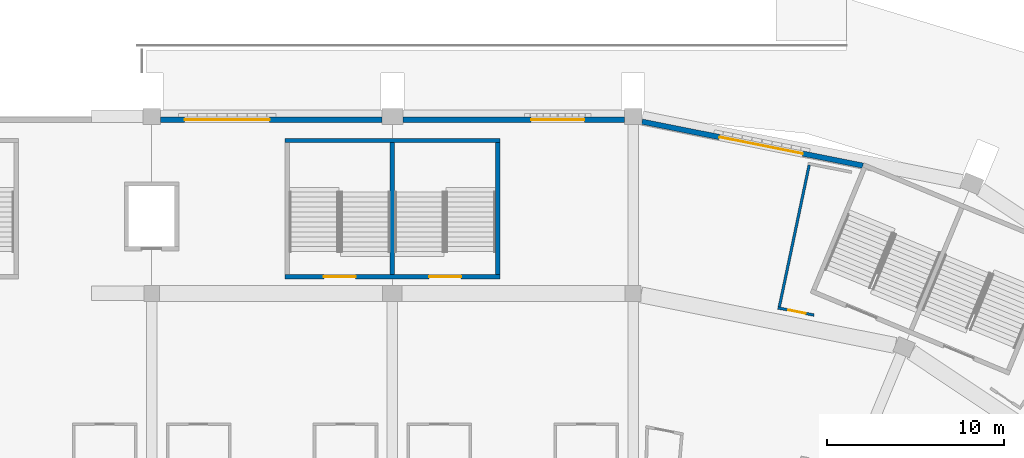
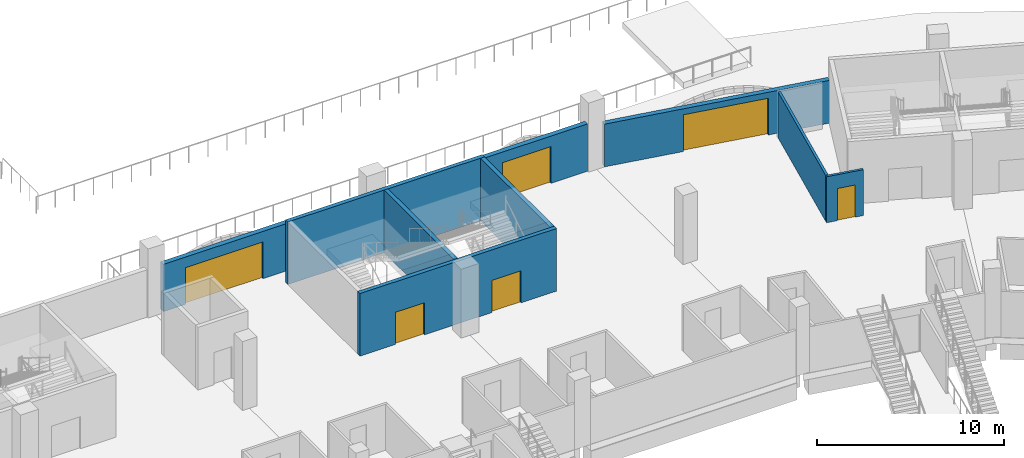
# One storey, part 40 of 175: 9 walls, 6 doors, 6 openings.
"""IFC4 building model written with IfcOpenShell, lengths in metres."""

from ifc_helpers import new_model, si_unit, direction, frame, frame_2d, origin, place, context, subcontext, project, spatial, rectangle, extrude, material, layer, layer_set, type_object, element, fill, save


model = new_model("IFC4")

# Units and contexts
model_context = context("Model", 3, precision=1e-05, world=origin(), true_north=direction((0.0, 1.0)))
body_context = subcontext(model_context, "Body", "Model", "MODEL_VIEW")
ifc_project = project(units=[si_unit("LENGTHUNIT", "METRE"), si_unit("AREAUNIT", "SQUARE_METRE"), si_unit("VOLUMEUNIT", "CUBIC_METRE"), si_unit("PLANEANGLEUNIT", "RADIAN"), si_unit("MASSUNIT", "GRAM", prefix="KILO")], contexts=[model_context])

# Site, building, storey
site_placement = place(None, origin())
site = spatial("IfcSite", under=ifc_project, at=site_placement, CompositionType="ELEMENT")
building_placement = place(site_placement, origin())
building = spatial("IfcBuilding", under=site, at=building_placement, Name="Ogive Plaza Stadium", CompositionType="ELEMENT")
storey_placement = place(building_placement, origin())
storey = spatial("IfcBuildingStorey", under=building, at=storey_placement, Name="L00", CompositionType="ELEMENT", Elevation=0.0)

# Wall, opening, door
ifc_material_1 = material(Name="Masonry blockwork", Category="masonry")
ifc_layer_1 = layer(ifc_material_1, 0.14990234375)
ifc_layer_set_1 = layer_set([ifc_layer_1], Name="Blockwork wall 150")
wall_type_1 = type_object("IfcWallType", Name="Blockwork wall 150", PredefinedType="SOLIDWALL", material=ifc_layer_set_1)
wall_1_placement = place(storey_placement, frame((44.21728515625, 91.267578125, 0.0), z_axis=(0.0, 0.0, 1.0), x_axis=(-0.980769797582, 0.195168143279, 0.0)))
wall_1 = element("IfcWall", 1, at=wall_1_placement, inside=storey, type_object=wall_type_1, Name="Wall L00 B37", PredefinedType="SOLIDWALL", context=body_context, shape_type="SweptSolid", body=[
    extrude(rectangle(XDim=2.080322265625, YDim=0.14990234375, at=frame_2d((1.0400390625, 0.0))), origin(), (0.0, 0.0, 1.0), 3.0),
])
opening_1_placement = place(wall_1_placement, frame((0.47216796875, 0.0, 0.0)))
opening_1 = element("IfcOpeningElement", 2, at=opening_1_placement, cuts=wall_1, Name="Opening D0460", PredefinedType="OPENING", context=body_context, shape_type="SweptSolid", body=[
    extrude(rectangle(XDim=1.0, YDim=2.10009765625, at=frame_2d((0.5, 1.050048828125))), frame((0.0, 0.074951171875, 0.0), z_axis=(0.0, -1.0, 0.0), x_axis=(1.0, 0.0, 0.0)), (0.0, 0.0, 1.0), 0.14990234375),
])
ifc_material_2 = material(Name="Steel ASTM A572 Grade 50", Category="steel")
door_type_1 = type_object("IfcDoorType", Name="Fire door FD60 1000 x 2100", OperationType="SINGLE_SWING_LEFT", PredefinedType="DOOR", material=ifc_material_2)
door_1_placement = place(opening_1_placement, origin())
door_1 = element("IfcDoor", 3, at=door_1_placement, inside=storey, type_object=door_type_1, Name="Concession Store B37 door", OperationType="SINGLE_SWING_LEFT", OverallHeight=2.10009765625, OverallWidth=1.0, PredefinedType="DOOR", context=body_context, shape_type="SweptSolid", body=[
    extrude(rectangle(XDim=1.0, YDim=2.10009765625, at=frame_2d((0.5, 1.050048828125))), frame((0.0, 0.02490234375, 0.0), z_axis=(0.0, -1.0, 0.0), x_axis=(1.0, 0.0, 0.0)), (0.0, 0.0, 1.0), 0.050048828125),
])
fill(opening_1, door_1)

# Wall
wall_2_placement = place(storey_placement, frame((42.2587890625, 91.732177734375, 0.0), z_axis=(0.0, 0.0, 1.0), x_axis=(0.206011983374, 0.978549468707, 0.0)))
element("IfcWall", 4, at=wall_2_placement, inside=storey, type_object=wall_type_1, Name="Wall L00 B37", PredefinedType="SOLIDWALL", context=body_context, shape_type="SweptSolid", body=[
    extrude(rectangle(XDim=8.190185546875, YDim=0.14990234375, at=frame_2d((4.09521484375, 0.0))), origin(), (0.0, 0.0, 1.0), 3.0),
])

# Wall, openings, doors
ifc_material_3 = material(Name="Concrete C40/50", Category="concrete")
ifc_layer_2 = layer(ifc_material_3, 0.25)
ifc_layer_set_2 = layer_set([ifc_layer_2], Name="Concrete C40/50")
wall_type_2 = type_object("IfcWallType", Name="Core wall 250", PredefinedType="SHEAR", material=ifc_layer_set_2)
wall_3_placement = place(storey_placement, frame((26.47509765625, 93.425048828125, 0.0), z_axis=(0.0, 0.0, 1.0), x_axis=(-1.0, 0.0, 0.0)))
wall_3 = element("IfcWall", 5, at=wall_3_placement, inside=storey, type_object=wall_type_2, Name="Stair core R36 inner wall", PredefinedType="SHEAR", context=body_context, shape_type="SweptSolid", body=[
    extrude(rectangle(XDim=12.150146484375, YDim=0.25, at=frame_2d((6.0751953125, 0.0))), origin(), (0.0, 0.0, 1.0), 4.090087890625),
])
opening_2_placement = place(wall_3_placement, frame((2.199951171875, 0.0, 0.0)))
opening_2 = element("IfcOpeningElement", 6, at=opening_2_placement, cuts=wall_3, Name="Opening D0261", PredefinedType="OPENING", context=body_context, shape_type="SweptSolid", body=[
    extrude(rectangle(XDim=1.800048828125, YDim=2.10009765625, at=frame_2d((0.89990234375, 1.050048828125))), frame((0.0, 0.125, 0.0), z_axis=(0.0, -1.0, 0.0), x_axis=(1.0, 0.0, 0.0)), (0.0, 0.0, 1.0), 0.25),
])
opening_3_placement = place(wall_3_placement, frame((8.14990234375, 0.0, 0.0)))
opening_3 = element("IfcOpeningElement", 7, at=opening_3_placement, cuts=wall_3, Name="Opening D0262", PredefinedType="OPENING", context=body_context, shape_type="SweptSolid", body=[
    extrude(rectangle(XDim=1.800048828125, YDim=2.10009765625, at=frame_2d((0.89990234375, 1.050048828125))), frame((0.0, 0.125, 0.0), z_axis=(0.0, -1.0, 0.0), x_axis=(1.0, 0.0, 0.0)), (0.0, 0.0, 1.0), 0.25),
])
ifc_material_4 = material(Name="Steel ASTM A572 Grade 50", Category="steel")
door_type_2 = type_object("IfcDoorType", Name="Fire door FD90 pair 1800 x 2100", OperationType="DOUBLE_DOOR_SINGLE_SWING", PredefinedType="DOOR", material=ifc_material_4)
door_2_placement = place(opening_2_placement, origin())
door_2 = element("IfcDoor", 8, at=door_2_placement, inside=storey, type_object=door_type_2, Name="Exit stair R36A door L00", OperationType="DOUBLE_DOOR_SINGLE_SWING", OverallHeight=2.10009765625, OverallWidth=1.800048828125, PredefinedType="DOOR", context=body_context, shape_type="SweptSolid", body=[
    extrude(rectangle(XDim=1.800048828125, YDim=2.10009765625, at=frame_2d((0.89990234375, 1.050048828125))), frame((0.0, 0.02490234375, 0.0), z_axis=(0.0, -1.0, 0.0), x_axis=(1.0, 0.0, 0.0)), (0.0, 0.0, 1.0), 0.050048828125),
])
fill(opening_2, door_2)
door_3_placement = place(opening_3_placement, origin())
door_3 = element("IfcDoor", 9, at=door_3_placement, inside=storey, type_object=door_type_2, Name="Exit stair R36B door L00", OperationType="DOUBLE_DOOR_SINGLE_SWING", OverallHeight=2.10009765625, OverallWidth=1.800048828125, PredefinedType="DOOR", context=body_context, shape_type="SweptSolid", body=[
    extrude(rectangle(XDim=1.800048828125, YDim=2.10009765625, at=frame_2d((0.89990234375, 1.050048828125))), frame((0.0, 0.02490234375, 0.0), z_axis=(0.0, -1.0, 0.0), x_axis=(1.0, 0.0, 0.0)), (0.0, 0.0, 1.0), 0.050048828125),
])
fill(opening_3, door_3)

# Walls
wall_4_placement = place(storey_placement, frame((26.47509765625, 101.135009765625, 0.0), z_axis=(0.0, 0.0, 1.0), x_axis=(-1.0, 0.0, 0.0)))
element("IfcWall", 10, at=wall_4_placement, inside=storey, type_object=wall_type_2, Name="Stair core R36 outer wall", PredefinedType="SHEAR", context=body_context, shape_type="SweptSolid", body=[
    extrude(rectangle(XDim=12.150146484375, YDim=0.25, at=frame_2d((6.0751953125, 0.0))), origin(), (0.0, 0.0, 1.0), 4.090087890625),
])
for number, where, z_axis, x_axis, name in (
    (11, (26.35009765625, 93.550048828125, 0.0), (0.0, 0.0, 1.0), (0.0, 1.0, 0.0), "Stair core R36 side wall"),
    (12, (20.39990234375, 93.550048828125, 0.0), (0.0, 0.0, 1.0), (0.0, 1.0, 0.0), "Stair core R36 centre wall"),
):
    element("IfcWall", number, at=place(storey_placement, frame(where, z_axis=z_axis, x_axis=x_axis)), inside=storey, type_object=wall_type_2, Name=name, PredefinedType="SHEAR", context=body_context, shape_type="SweptSolid", body=[
        extrude(rectangle(XDim=7.4599609375, YDim=0.25, at=frame_2d((3.72998046875, 0.0))), origin(), (0.0, 0.0, 1.0), 4.090087890625),
    ])

# Wall, opening, door
ifc_material_5 = material(Name="Concrete C45/55 precast", Category="concrete")
ifc_layer_3 = layer(ifc_material_5, 0.25)
ifc_material_6 = material(Name="Cast stone (reconstituted limestone)", Category="masonry")
ifc_layer_4 = layer(ifc_material_6, 0.050048828125)
ifc_layer_set_3 = layer_set([ifc_layer_3, ifc_layer_4], Name="Concrete C45/55 precast, cast stone facing")
wall_type_3 = type_object("IfcWallType", Name="Portal infill wall 300", PredefinedType="SOLIDWALL", material=ifc_layer_set_3)
wall_5_placement = place(storey_placement, frame((7.300048828125, 102.300048828125, 0.0), z_axis=(0.0, 0.0, 1.0), x_axis=(1.0, 0.0, 0.0)))
wall_5 = element("IfcWall", 13, at=wall_5_placement, inside=storey, type_object=wall_type_3, Name="PORTAL WALL B35", PredefinedType="SOLIDWALL", context=body_context, shape_type="SweptSolid", body=[
    extrude(rectangle(XDim=12.5, YDim=0.300048828125, at=frame_2d((6.25, 0.0))), origin(), (0.0, 0.0, 1.0), 3.090087890625),
])
opening_4_placement = place(wall_5_placement, frame((1.362548828125, 0.0, 0.0)))
opening_4 = element("IfcOpeningElement", 14, at=opening_4_placement, cuts=wall_5, Name="Opening D0035", PredefinedType="OPENING", context=body_context, shape_type="SweptSolid", body=[
    extrude(rectangle(XDim=4.800048828125, YDim=2.39990234375, at=frame_2d((2.39990234375, 1.199951171875))), frame((0.0, 0.16015625, 0.0), z_axis=(0.0, -1.0, 0.0), x_axis=(1.0, 0.0, 0.0)), (0.0, 0.0, 1.0), 0.320068359375),
])
ifc_material_7 = material(Name="Bronze-anodised aluminium and laminated glass", Category="aluminium")
door_type_3 = type_object("IfcDoorType", Name="Entrance door pair 4800 x 2400", OperationType="DOUBLE_DOOR_SINGLE_SWING", PredefinedType="DOOR", material=ifc_material_7)
door_4_placement = place(opening_4_placement, origin())
door_4 = element("IfcDoor", 15, at=door_4_placement, inside=storey, type_object=door_type_3, Name="Main entrance E18", OperationType="DOUBLE_DOOR_SINGLE_SWING", OverallHeight=2.39990234375, OverallWidth=4.800048828125, PredefinedType="DOOR", context=body_context, shape_type="SweptSolid", body=[
    extrude(rectangle(XDim=4.800048828125, YDim=2.39990234375, at=frame_2d((2.39990234375, 1.199951171875))), frame((0.0, 0.02490234375, 0.0), z_axis=(0.0, -1.0, 0.0), x_axis=(1.0, 0.0, 0.0)), (0.0, 0.0, 1.0), 0.050048828125),
])
fill(opening_4, door_4)

wall_6_placement = place(storey_placement, frame((21.0, 102.300048828125, 0.0), z_axis=(0.0, 0.0, 1.0), x_axis=(1.0, 0.0, 0.0)))
wall_6 = element("IfcWall", 16, at=wall_6_placement, inside=storey, type_object=wall_type_3, Name="PORTAL WALL B36", PredefinedType="SOLIDWALL", context=body_context, shape_type="SweptSolid", body=[
    extrude(rectangle(XDim=12.5, YDim=0.300048828125, at=frame_2d((6.25, 0.0))), origin(), (0.0, 0.0, 1.0), 3.090087890625),
])
opening_5_placement = place(wall_6_placement, frame((7.237548828125, 0.0, 0.0)))
opening_5 = element("IfcOpeningElement", 17, at=opening_5_placement, cuts=wall_6, Name="Opening D0036", PredefinedType="OPENING", context=body_context, shape_type="SweptSolid", body=[
    extrude(rectangle(XDim=3.0, YDim=2.39990234375, at=frame_2d((1.5, 1.199951171875))), frame((0.0, 0.16015625, 0.0), z_axis=(0.0, -1.0, 0.0), x_axis=(1.0, 0.0, 0.0)), (0.0, 0.0, 1.0), 0.320068359375),
])
ifc_material_8 = material(Name="Bronze-anodised aluminium and laminated glass", Category="aluminium")
door_type_4 = type_object("IfcDoorType", Name="Exit gate door pair 3000 x 2400", OperationType="DOUBLE_DOOR_SINGLE_SWING", PredefinedType="DOOR", material=ifc_material_8)
door_5_placement = place(opening_5_placement, origin())
door_5 = element("IfcDoor", 18, at=door_5_placement, inside=storey, type_object=door_type_4, Name="Pedestrian exit gate G17", OperationType="DOUBLE_DOOR_SINGLE_SWING", OverallHeight=2.39990234375, OverallWidth=3.0, PredefinedType="DOOR", context=body_context, shape_type="SweptSolid", body=[
    extrude(rectangle(XDim=3.0, YDim=2.39990234375, at=frame_2d((1.5, 1.199951171875))), frame((0.0, 0.02490234375, 0.0), z_axis=(0.0, -1.0, 0.0), x_axis=(1.0, 0.0, 0.0)), (0.0, 0.0, 1.0), 0.050048828125),
])
fill(opening_5, door_5)

ifc_material_9 = material(Name="Concrete C45/55 precast", Category="concrete")
ifc_layer_5 = layer(ifc_material_9, 0.25)
ifc_material_10 = material(Name="Cast stone (reconstituted limestone)", Category="masonry")
ifc_layer_6 = layer(ifc_material_10, 0.050048828125)
ifc_layer_set_4 = layer_set([ifc_layer_5, ifc_layer_6], Name="Concrete C45/55 precast, cast stone facing")
wall_type_4 = type_object("IfcWallType", Name="Portal infill wall 300 A", PredefinedType="SOLIDWALL", material=ifc_layer_set_4)
wall_7_placement = place(storey_placement, frame((34.5, 102.196533203125, 0.0), z_axis=(0.0, 0.0, 1.0), x_axis=(0.980785269235, -0.195090378163, 0.0)))
wall_7 = element("IfcWall", 19, at=wall_7_placement, inside=storey, type_object=wall_type_4, Name="PORTAL WALL B37", PredefinedType="SOLIDWALL", context=body_context, shape_type="SweptSolid", body=[
    extrude(rectangle(XDim=12.725830078125, YDim=0.300048828125, at=frame_2d((6.36279296875, 0.0))), origin(), (0.0, 0.0, 1.0), 2.7900390625),
])
opening_6_placement = place(wall_7_placement, frame((4.462646484375, 0.0, 0.0)))
opening_6 = element("IfcOpeningElement", 20, at=opening_6_placement, cuts=wall_7, Name="Opening D0037", PredefinedType="OPENING", context=body_context, shape_type="SweptSolid", body=[
    extrude(rectangle(XDim=4.800048828125, YDim=2.39990234375, at=frame_2d((2.39990234375, 1.199951171875))), frame((0.0, 0.16015625, 0.0), z_axis=(0.0, -1.0, 0.0), x_axis=(1.0, 0.0, 0.0)), (0.0, 0.0, 1.0), 0.320068359375),
])
door_6_placement = place(opening_6_placement, origin())
door_6 = element("IfcDoor", 21, at=door_6_placement, inside=storey, type_object=door_type_3, Name="Main entrance E19", OperationType="DOUBLE_DOOR_SINGLE_SWING", OverallHeight=2.39990234375, OverallWidth=4.800048828125, PredefinedType="DOOR", context=body_context, shape_type="SweptSolid", body=[
    extrude(rectangle(XDim=4.800048828125, YDim=2.39990234375, at=frame_2d((2.39990234375, 1.199951171875))), frame((0.0, 0.02490234375, 0.0), z_axis=(0.0, -1.0, 0.0), x_axis=(1.0, 0.0, 0.0)), (0.0, 0.0, 1.0), 0.050048828125),
])
fill(opening_6, door_6)

save(model, "model.ifc")
